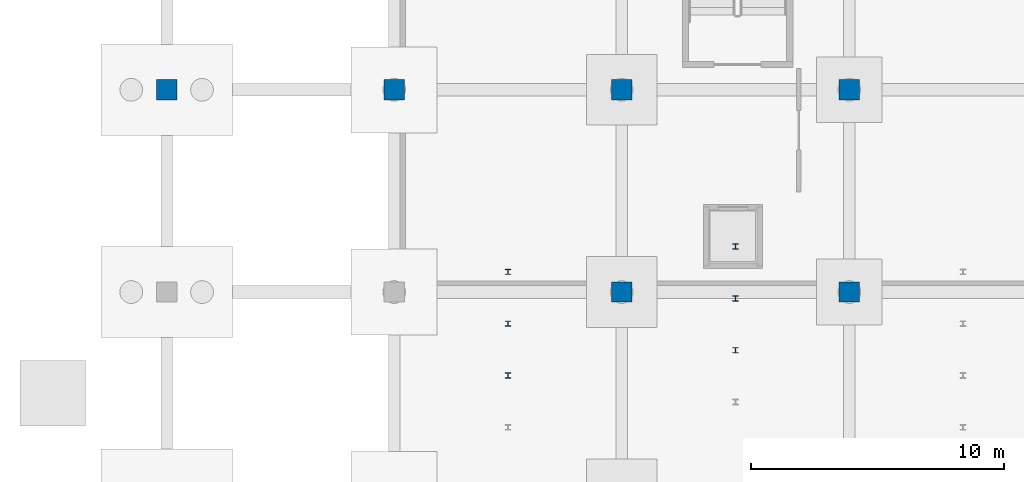
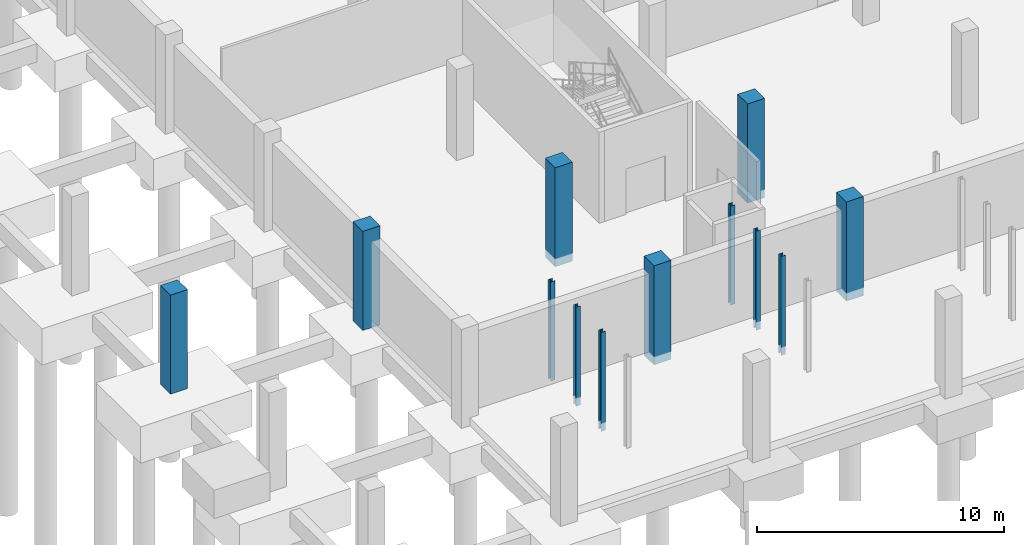
# One storey, part 12 of 40: 12 columns.
"""IFC4 building model written with IfcOpenShell, lengths in metres."""

from ifc_helpers import new_model, si_unit, direction, frame, origin, origin_2d, place, context, subcontext, project, spatial, rectangle, i_section, extrude, material, material_profile, profile_set, type_object, element, save


model = new_model("IFC4")

# Units and contexts
model_context = context("Model", 3, precision=1e-05, world=origin(), true_north=direction((0.0, 1.0)))
body_context = subcontext(model_context, "Body", "Model", "MODEL_VIEW")
ifc_project = project(units=[si_unit("LENGTHUNIT", "METRE"), si_unit("AREAUNIT", "SQUARE_METRE"), si_unit("VOLUMEUNIT", "CUBIC_METRE"), si_unit("PLANEANGLEUNIT", "RADIAN"), si_unit("MASSUNIT", "GRAM", prefix="KILO")], contexts=[model_context])

# Site, building, storey
site_placement = place(None, origin())
site = spatial("IfcSite", under=ifc_project, at=site_placement, CompositionType="ELEMENT")
building_placement = place(site_placement, origin())
building = spatial("IfcBuilding", under=site, at=building_placement, Name="Marnock Terrace Opera House", CompositionType="ELEMENT")
storey_placement = place(building_placement, frame((0.0, 0.0, -4.800048828125)))
storey = spatial("IfcBuildingStorey", under=building, at=storey_placement, Name="B1", CompositionType="ELEMENT", Elevation=-4.800048828125)

# Columns
ifc_material_1 = material(Name="Concrete N50 (f'c = 50 MPa)", Category="concrete")
ifc_material_profile_1 = material_profile(ifc_material_1, rectangle(XDim=0.800048828125, YDim=0.800048828125, at=origin_2d()))
ifc_profile_set_1 = profile_set([ifc_material_profile_1], Name="Concrete N50 (f'c = 50 MPa)")
column_type_1 = type_object("IfcColumnType", Name="COL-RC800", PredefinedType="COLUMN", material=ifc_profile_set_1)
for number, where, z_axis, x_axis, name in (
    (1, (0.0, 24.0, -0.39990234375), (0.0, 0.0, 1.0), (1.0, 0.0, 0.0), "B1 column at (0.0, 24.0)"),
    (2, (9.0, 24.0, -0.39990234375), (0.0, 0.0, 1.0), (1.0, 0.0, 0.0), "B1 column at (9.0, 24.0)"),
    (3, (18.0, 16.0, -0.39990234375), (0.0, 0.0, 1.0), (1.0, 0.0, 0.0), "B1 column at (18.0, 16.0)"),
    (4, (18.0, 24.0, -0.39990234375), (0.0, 0.0, 1.0), (1.0, 0.0, 0.0), "B1 column at (18.0, 24.0)"),
    (5, (27.0, 16.0, -0.39990234375), (0.0, 0.0, 1.0), (1.0, 0.0, 0.0), "B1 column at (27.0, 16.0)"),
    (6, (27.0, 24.0, -0.39990234375), (0.0, 0.0, 1.0), (1.0, 0.0, 0.0), "B1 column at (27.0, 24.0)"),
):
    element("IfcColumn", number, at=place(storey_placement, frame(where, z_axis=z_axis, x_axis=x_axis)), inside=storey, type_object=column_type_1, Name=name, PredefinedType="COLUMN", context=body_context, shape_type="SweptSolid", body=[
        extrude(rectangle(XDim=0.800048828125, YDim=0.800048828125, at=origin_2d()), origin(), (0.0, 0.0, 1.0), 4.89990234375),
    ])
ifc_material_2 = material(Name="Steel Grade 350 (AS/NZS 3679.1)", Category="steel")
ifc_material_profile_2 = material_profile(ifc_material_2, i_section(OverallWidth=0.205078125, OverallDepth=0.209716796875, WebThickness=0.00927734375, FlangeThickness=0.01416015625, FilletRadius=0.011474609375, at=origin_2d()))
ifc_profile_set_2 = profile_set([ifc_material_profile_2], Name="Steel Grade 350 (AS/NZS 3679.1)")
column_type_2 = type_object("IfcColumnType", Name="COL-UC200", PredefinedType="COLUMN", material=ifc_profile_set_2)
for number, where, z_axis, x_axis, name in (
    (7, (13.5, 12.699951171875, -0.39990234375), (0.0, 0.0, 1.0), (1.0, 0.0, 0.0), "B1 Chamber tier 2 support column W"),
    (8, (22.5, 13.699951171875, -0.39990234375), (0.0, 0.0, 1.0), (1.0, 0.0, 0.0), "B1 Chamber tier 2 support column M"),
    (9, (13.5, 14.75, -0.39990234375), (0.0, 0.0, 1.0), (1.0, 0.0, 0.0), "B1 Chamber tier 3 support column W"),
    (10, (22.5, 15.75, -0.39990234375), (0.0, 0.0, 1.0), (1.0, 0.0, 0.0), "B1 Chamber tier 3 support column M"),
    (11, (13.5, 16.800048828125, -0.39990234375), (0.0, 0.0, 1.0), (1.0, 0.0, 0.0), "B1 Chamber tier 4 support column W"),
    (12, (22.5, 17.800048828125, -0.39990234375), (0.0, 0.0, 1.0), (1.0, 0.0, 0.0), "B1 Chamber tier 4 support column M"),
):
    element("IfcColumn", number, at=place(storey_placement, frame(where, z_axis=z_axis, x_axis=x_axis)), inside=storey, type_object=column_type_2, Name=name, PredefinedType="COLUMN", context=body_context, shape_type="SweptSolid", body=[
        extrude(i_section(OverallWidth=0.205078125, OverallDepth=0.209716796875, WebThickness=0.00927734375, FlangeThickness=0.01416015625, FilletRadius=0.011474609375, at=origin_2d()), origin(), (0.0, 0.0, 1.0), 4.89990234375),
    ])

save(model, "model.ifc")
